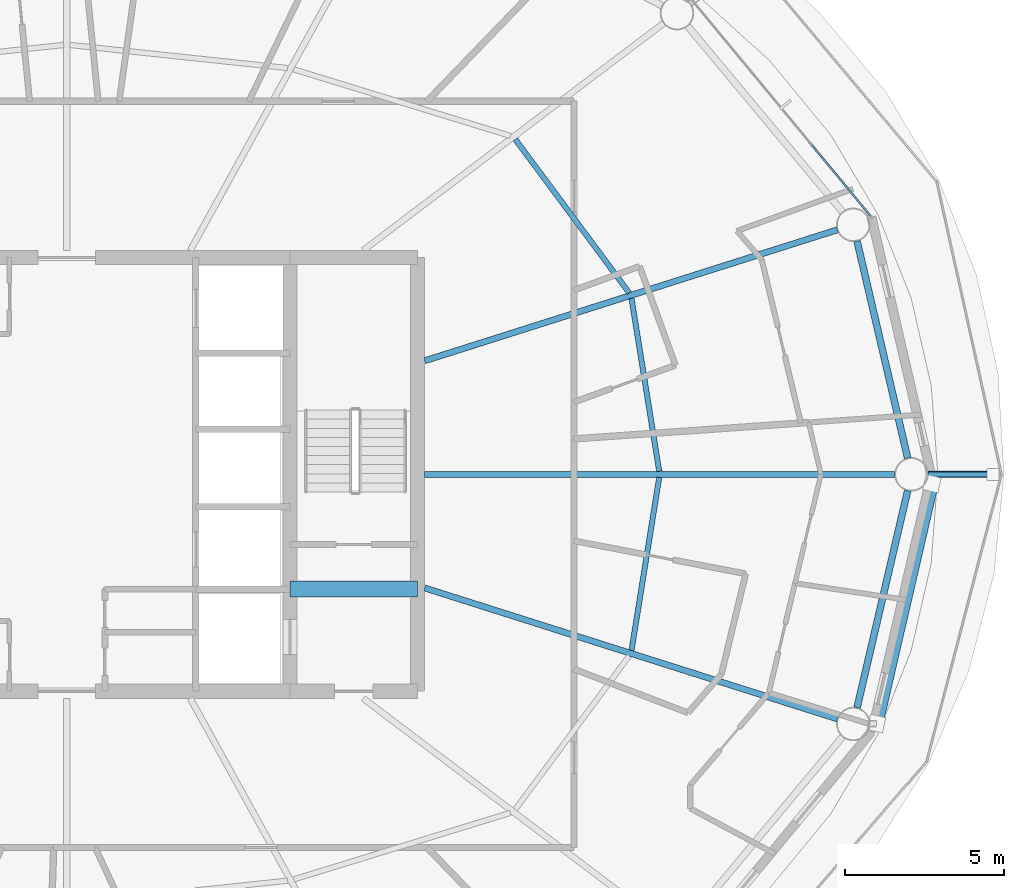
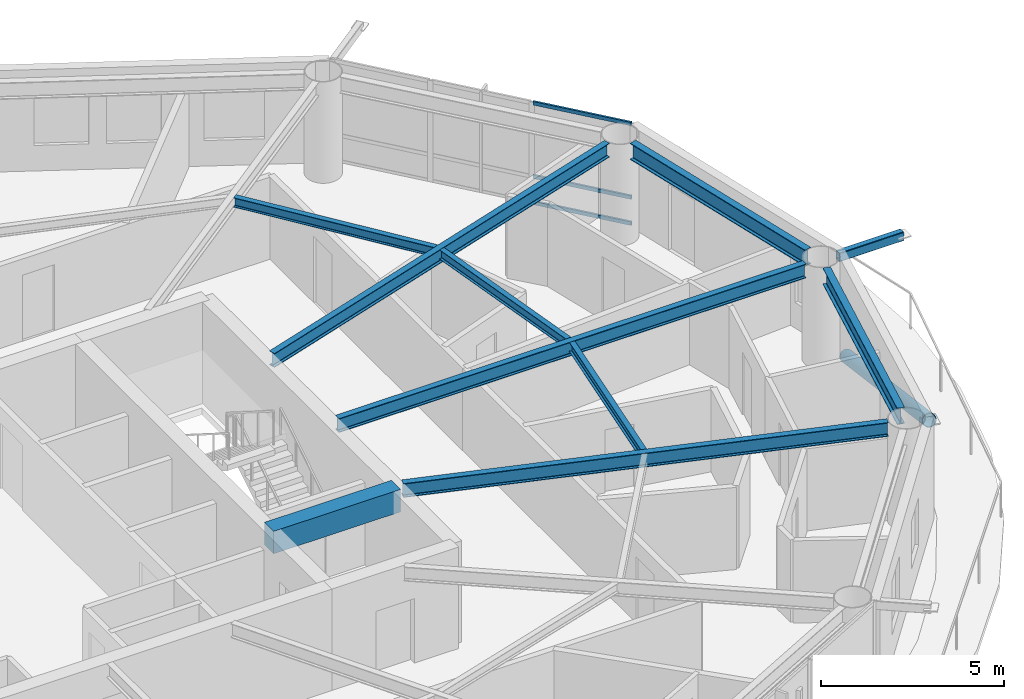
# One storey, part 8 of 27: 9 beams, 5 members, 1 element without a shape of its own.
"""IFC4 building model written with IfcOpenShell, lengths in metres."""

from ifc_helpers import new_model, si_unit, direction, frame, origin, origin_2d, place, context, subcontext, project, spatial, rectangle, hollow_rectangle, hollow_circle, i_section, extrude, material, layer, layer_set, material_profile, profile_set, type_object, element, aggregate, save


model = new_model("IFC4")

# Units and contexts
model_context = context("Model", 3, precision=1e-05, world=origin(), true_north=direction((0.0, 1.0)))
body_context = subcontext(model_context, "Body", "Model", "MODEL_VIEW")
ifc_project = project(units=[si_unit("LENGTHUNIT", "METRE"), si_unit("AREAUNIT", "SQUARE_METRE"), si_unit("VOLUMEUNIT", "CUBIC_METRE"), si_unit("PLANEANGLEUNIT", "RADIAN"), si_unit("MASSUNIT", "GRAM", prefix="KILO")], contexts=[model_context])

# Site, building, storey
site_placement = place(None, origin())
site = spatial("IfcSite", under=ifc_project, at=site_placement, CompositionType="ELEMENT")
building_placement = place(site_placement, origin())
building = spatial("IfcBuilding", under=site, at=building_placement, Name="Sarneth Arch Tower", CompositionType="ELEMENT")
storey_placement = place(building_placement, frame((0.0, 0.0, 157.800048828125)))
storey = spatial("IfcBuildingStorey", under=building, at=storey_placement, Name="L39", CompositionType="ELEMENT", Elevation=157.800048828125)

# Beams
ifc_material_1 = material(Name="Steel S355", Category="steel")
ifc_material_profile_1 = material_profile(ifc_material_1, i_section(OverallWidth=0.1669921875, OverallDepth=0.31689453125, WebThickness=0.007568359375, FlangeThickness=0.01318359375, FilletRadius=0.012939453125, at=origin_2d()), Name="W310x52")
ifc_profile_set_1 = profile_set([ifc_material_profile_1], Name="Steel S355")
beam_type_1 = type_object("IfcBeamType", Name="BM-JOIST-310B", PredefinedType="JOIST", material=ifc_profile_set_1)
beam_1_placement = place(storey_placement, frame((66.578125, 42.09521484375, 3.221435546875), z_axis=(-0.158262632389, 0.987397052451, 0.0), x_axis=(-0.987397052451, -0.158262632389, 0.0)))
element("IfcBeam", 1, at=beam_1_placement, inside=storey, type_object=beam_type_1, Name="L39 Secondary floor joist 01", PredefinedType="JOIST", context=body_context, shape_type="SweptSolid", body=[
    extrude(i_section(OverallWidth=0.1669921875, OverallDepth=0.31689453125, WebThickness=0.007568359375, FlangeThickness=0.01318359375, FilletRadius=0.012939453125, at=origin_2d()), origin(), (0.0, 0.0, 1.0), 5.493408203125),
])
beam_2_placement = place(storey_placement, frame((65.6357421875, 47.692138671875, 3.221435546875), z_axis=(-0.595933334016, 0.803033910497, 0.0), x_axis=(-0.803033910497, -0.595933334016, 0.0)))
element("IfcBeam", 2, at=beam_2_placement, inside=storey, type_object=beam_type_1, Name="L39 Secondary floor joist 02", PredefinedType="JOIST", context=body_context, shape_type="SweptSolid", body=[
    extrude(i_section(OverallWidth=0.1669921875, OverallDepth=0.31689453125, WebThickness=0.007568359375, FlangeThickness=0.01318359375, FilletRadius=0.012939453125, at=origin_2d()), origin(), (0.0, 0.0, 1.0), 5.99560546875),
])
beam_3_placement = place(storey_placement, frame((65.708740234375, 36.480712890625, 3.221435546875), z_axis=(0.158262632389, 0.987397052451, 0.0), x_axis=(-0.987397052451, 0.158262632389, 0.0)))
element("IfcBeam", 3, at=beam_3_placement, inside=storey, type_object=beam_type_1, Name="L39 Secondary floor joist 16", PredefinedType="JOIST", context=body_context, shape_type="SweptSolid", body=[
    extrude(i_section(OverallWidth=0.1669921875, OverallDepth=0.31689453125, WebThickness=0.007568359375, FlangeThickness=0.01318359375, FilletRadius=0.012939453125, at=origin_2d()), origin(), (0.0, 0.0, 1.0), 5.493408203125),
])
ifc_material_2 = material(Name="Concrete C50/60", Category="concrete")
ifc_material_profile_2 = material_profile(ifc_material_2, rectangle(XDim=0.5, YDim=0.75, at=origin_2d()), Name="RC-500x750")
ifc_profile_set_2 = profile_set([ifc_material_profile_2], Name="Concrete C50/60")
beam_type_2 = type_object("IfcBeamType", Name="BM-LINTEL-RC", PredefinedType="LINTEL", material=ifc_profile_set_2)
beam_4_placement = place(storey_placement, frame((55.0, 38.39990234375, 3.0048828125), z_axis=(1.0, 0.0, 0.0), x_axis=(0.0, 1.0, 0.0)))
element("IfcBeam", 4, at=beam_4_placement, inside=storey, type_object=beam_type_2, Name="L39 Core coupling lintel E", PredefinedType="LINTEL", context=body_context, shape_type="SweptSolid", body=[
    extrude(rectangle(XDim=0.5, YDim=0.75, at=origin_2d()), origin(), (0.0, 0.0, 1.0), 4.0),
])
ifc_material_3 = material(Name="Steel S355", Category="steel")
ifc_material_profile_3 = material_profile(ifc_material_3, i_section(OverallWidth=0.193115234375, OverallDepth=0.466064453125, WebThickness=0.011474609375, FlangeThickness=0.01904296875, FilletRadius=0.01806640625, at=origin_2d()), Name="W460x97")
ifc_profile_set_3 = profile_set([ifc_material_profile_3], Name="Steel S355")
beam_type_3 = type_object("IfcBeamType", Name="BM-RAD-460C", PredefinedType="BEAM", material=ifc_profile_set_3)
beam_5_placement = place(storey_placement, frame((59.22509765625, 42.0, 3.14697265625), z_axis=(1.0, 0.0, 0.0), x_axis=(0.0, 1.0, 0.0)))
element("IfcBeam", 5, at=beam_5_placement, inside=storey, type_object=beam_type_3, Name="L39 Radial floor girder 01", PredefinedType="BEAM", context=body_context, shape_type="SweptSolid", body=[
    extrude(i_section(OverallWidth=0.193115234375, OverallDepth=0.466064453125, WebThickness=0.011474609375, FlangeThickness=0.01904296875, FilletRadius=0.01806640625, at=origin_2d()), origin(), (0.0, 0.0, 1.0), 14.73681640625),
])
for number, where, z_axis, x_axis, name in (
    (6, (59.22509765625, 45.56201171875, 3.14697265625), (0.953163620049, 0.302455142815, 0.0), (-0.302455142815, 0.953163620049, 0.0), "L39 Radial floor girder 02"),
    (7, (59.22509765625, 38.43798828125, 3.14697265625), (0.953163620049, -0.302455142815, 0.0), (0.302455142815, 0.953163620049, 0.0), "L39 Radial floor girder 16"),
):
    element("IfcBeam", number, at=place(storey_placement, frame(where, z_axis=z_axis, x_axis=x_axis)), inside=storey, type_object=beam_type_3, Name=name, PredefinedType="BEAM", context=body_context, shape_type="SweptSolid", body=[
        extrude(i_section(OverallWidth=0.193115234375, OverallDepth=0.466064453125, WebThickness=0.011474609375, FlangeThickness=0.01904296875, FilletRadius=0.01806640625, at=origin_2d()), origin(), (0.0, 0.0, 1.0), 13.572265625),
    ])
ifc_material_4 = material(Name="Steel S355", Category="steel")
ifc_material_profile_4 = material_profile(ifc_material_4, i_section(OverallWidth=0.214111328125, OverallDepth=0.549072265625, WebThickness=0.0146484375, FlangeThickness=0.023681640625, FilletRadius=0.01806640625, at=origin_2d()), Name="W530x138")
ifc_profile_set_4 = profile_set([ifc_material_profile_4], Name="Steel S355")
beam_type_4 = type_object("IfcBeamType", Name="BM-RAD-530A", PredefinedType="BEAM", material=ifc_profile_set_4)
for number, where, z_axis, x_axis, name in (
    (8, (74.36767578125, 42.51123046875, 3.10546875), (-0.22708709918, 0.973874452579, 0.0), (-0.973874452579, -0.22708709918, 0.0), "L39 Perimeter spandrel beam 01"),
    (9, (72.78125, 34.685302734375, 3.10546875), (0.22708709918, 0.973874452579, 0.0), (-0.973874452579, 0.22708709918, 0.0), "L39 Perimeter spandrel beam 16"),
):
    element("IfcBeam", number, at=place(storey_placement, frame(where, z_axis=z_axis, x_axis=x_axis)), inside=storey, type_object=beam_type_4, Name=name, PredefinedType="BEAM", context=body_context, shape_type="SweptSolid", body=[
        extrude(i_section(OverallWidth=0.214111328125, OverallDepth=0.549072265625, WebThickness=0.0146484375, FlangeThickness=0.023681640625, FilletRadius=0.01806640625, at=origin_2d()), origin(), (0.0, 0.0, 1.0), 6.986083984375),
    ])

# Curtain wall, members
ifc_material_5 = material(Name="Anodised aluminium Type AA25 and solar-control low-e laminated IGU", Category="aluminium")
ifc_layer = layer(ifc_material_5, 0.169921875)
ifc_layer_set = layer_set([ifc_layer], Name="Anodised aluminium Type AA25 and solar-control low-e laminated IGU")
curtain_wall_type = type_object("IfcCurtainWallType", Name="CW-RES-MID", PredefinedType="NOTDEFINED", material=ifc_layer_set)
curtain_wall_placement = place(storey_placement, origin())
curtain_wall = element("IfcCurtainWall", 10, at=curtain_wall_placement, inside=storey, type_object=curtain_wall_type, Name="L39 Unitised curtain wall facet 02", PredefinedType="NOTDEFINED")
ifc_material_6 = material(Name="Anodised Aluminium 6063-T6", Category="aluminium")
ifc_material_profile_5 = material_profile(ifc_material_6, hollow_rectangle(XDim=0.06005859375, YDim=0.1201171875, WallThickness=0.00390625, at=origin_2d()), Name="AL-TRAN-120x60x4")
ifc_profile_set_5 = profile_set([ifc_material_profile_5], Name="Anodised Aluminium 6063-T6")
member_type_1 = type_object("IfcMemberType", Name="CW-TRANSOM", PredefinedType="USERDEFINED", material=ifc_profile_set_5)
member_1_placement = place(storey_placement, frame((73.194091796875, 50.11328125, 0.030029296875), z_axis=(-0.637358651504, 0.770567290607, 0.0), x_axis=(-0.770567290607, -0.637358651504, 0.0)))
member_1 = element("IfcMember", 11, at=member_1_placement, type_object=member_type_1, Name="CW-SYS-5 transom 1.1", ObjectType="TRANSOM", PredefinedType="USERDEFINED", context=body_context, shape_type="SweptSolid", body=[
    extrude(hollow_rectangle(XDim=0.06005859375, YDim=0.1201171875, WallThickness=0.00390625, at=origin_2d()), origin(), (0.0, 0.0, 1.0), 2.8681640625),
])
member_2_placement = place(storey_placement, frame((73.194091796875, 50.11328125, 0.89990234375), z_axis=(-0.637358651504, 0.770567290607, 0.0), x_axis=(-0.770567290607, -0.637358651504, 0.0)))
member_2 = element("IfcMember", 12, at=member_2_placement, type_object=member_type_1, Name="CW-SYS-5 transom 1.2", ObjectType="TRANSOM", PredefinedType="USERDEFINED", context=body_context, shape_type="SweptSolid", body=[
    extrude(hollow_rectangle(XDim=0.06005859375, YDim=0.1201171875, WallThickness=0.00390625, at=origin_2d()), origin(), (0.0, 0.0, 1.0), 2.8681640625),
])
member_3_placement = place(storey_placement, frame((73.194091796875, 50.11328125, 3.349853515625), z_axis=(-0.637358651504, 0.770567290607, 0.0), x_axis=(-0.770567290607, -0.637358651504, 0.0)))
member_3 = element("IfcMember", 13, at=member_3_placement, type_object=member_type_1, Name="CW-SYS-5 transom 1.3", ObjectType="TRANSOM", PredefinedType="USERDEFINED", context=body_context, shape_type="SweptSolid", body=[
    extrude(hollow_rectangle(XDim=0.06005859375, YDim=0.1201171875, WallThickness=0.00390625, at=origin_2d()), origin(), (0.0, 0.0, 1.0), 2.8681640625),
])
aggregate(curtain_wall, [member_1, member_2, member_3])

# Members
ifc_material_7 = material(Name="Steel S355", Category="steel")
ifc_material_profile_6 = material_profile(ifc_material_7, hollow_rectangle(XDim=0.199951171875, YDim=0.300048828125, WallThickness=0.012451171875, InnerFilletRadius=0.018798828125, OuterFilletRadius=0.03125, at=origin_2d()), Name="RHS300x200x12.5")
ifc_profile_set_6 = profile_set([ifc_material_profile_6], Name="Steel S355")
member_type_2 = type_object("IfcMemberType", Name="MEM-CANT-STRUT", PredefinedType="STRUT", material=ifc_profile_set_6)
member_4_placement = place(storey_placement, frame((75.011962890625, 42.0, 3.219970703125), z_axis=(1.0, 0.0, 0.0), x_axis=(0.0, 1.0, 0.0)))
element("IfcMember", 14, at=member_4_placement, inside=storey, type_object=member_type_2, Name="L39 Balcony cantilever bracket 01", PredefinedType="STRUT", context=body_context, shape_type="SweptSolid", body=[
    extrude(hollow_rectangle(XDim=0.199951171875, YDim=0.300048828125, WallThickness=0.012451171875, InnerFilletRadius=0.018798828125, OuterFilletRadius=0.03125, at=origin_2d()), origin(), (0.0, 0.0, 1.0), 2.02685546875),
])
ifc_material_8 = material(Name="Steel S355", Category="steel")
ifc_material_profile_7 = material_profile(ifc_material_8, hollow_circle(Radius=0.202880859375, WallThickness=0.01611328125, at=origin_2d()), Name="CHS406x16")
ifc_profile_set_7 = profile_set([ifc_material_profile_7], Name="Steel S355")
member_type_3 = type_object("IfcMemberType", Name="MEM-DIAG-BR2", PredefinedType="BRACE", material=ifc_profile_set_7)
member_5_placement = place(storey_placement, frame((75.12890625, 41.707763671875, 0.02001953125), z_axis=(-0.209646277215, -0.90691666474, 0.365445757488), x_axis=(0.974306903917, -0.225224459107, 0.0)))
element("IfcMember", 15, at=member_5_placement, inside=storey, type_object=member_type_3, Name="L39 Perimeter frame diagonal 16", PredefinedType="BRACE", context=body_context, shape_type="SweptSolid", body=[
    extrude(hollow_circle(Radius=0.202880859375, WallThickness=0.01611328125, at=origin_2d()), origin(), (0.0, 0.0, 1.0), 8.292724609375),
])

save(model, "model.ifc")
